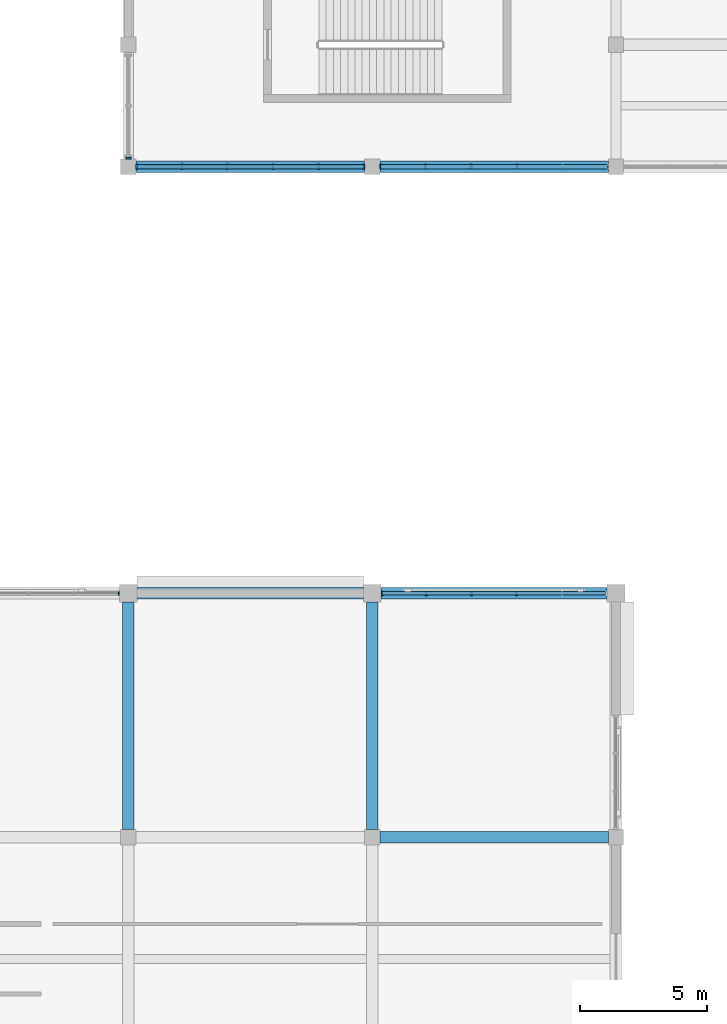
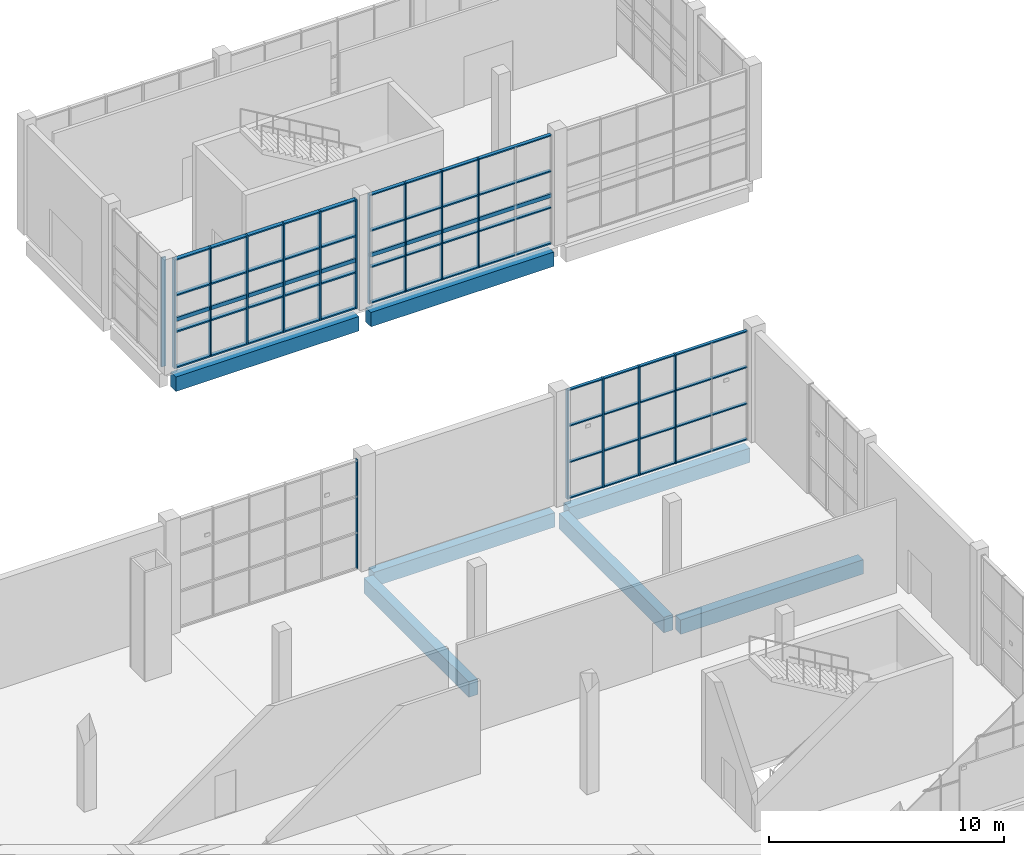
# One storey, part 8 of 84: 30 members, 7 beams, 5 elements without a shape of their own.
"""IFC4 building model written with IfcOpenShell, lengths in metres."""

from ifc_helpers import new_model, si_unit, direction, frame, origin, origin_2d, place, context, subcontext, project, spatial, rectangle, hollow_rectangle, extrude, material, material_profile, profile_set, type_object, element, aggregate, save


model = new_model("IFC4")

# Units and contexts
model_context = context("Model", 3, precision=1e-05, world=origin(), true_north=direction((0.0, 1.0)))
body_context = subcontext(model_context, "Body", "Model", "MODEL_VIEW")
ifc_project = project(units=[si_unit("LENGTHUNIT", "METRE"), si_unit("AREAUNIT", "SQUARE_METRE"), si_unit("VOLUMEUNIT", "CUBIC_METRE"), si_unit("PLANEANGLEUNIT", "RADIAN"), si_unit("MASSUNIT", "GRAM", prefix="KILO")], contexts=[model_context])

# Site, building, storey
site_placement = place(None, origin())
site = spatial("IfcSite", under=ifc_project, at=site_placement, CompositionType="ELEMENT")
building_placement = place(site_placement, origin())
building = spatial("IfcBuilding", under=site, at=building_placement, Name="Shalvenor Court Art Gallery", CompositionType="ELEMENT")
storey_placement = place(building_placement, origin())
storey = spatial("IfcBuildingStorey", under=building, at=storey_placement, Name="L00", CompositionType="ELEMENT", Elevation=0.0)

# Beams
ifc_material_1 = material(Name="Concrete C40/50", Category="concrete")
ifc_material_profile_1 = material_profile(ifc_material_1, rectangle(XDim=0.449951171875, YDim=0.800048828125, at=origin_2d()), Name="RC 450x800")
ifc_profile_set_1 = profile_set([ifc_material_profile_1], Name="Concrete C40/50")
beam_type_1 = type_object("IfcBeamType", Name="B-03", PredefinedType="BEAM", material=ifc_profile_set_1)
for number, where, z_axis, x_axis, name in (
    (1, (48.0, 19.5, -0.739990234375), (0.0, 1.0, 0.0), (-1.0, 0.0, 0.0), "L00 Girder BM-L00-B-03-0043"),
    (2, (57.60009765625, 19.5, -0.739990234375), (0.0, 1.0, 0.0), (-1.0, 0.0, 0.0), "L00 Girder BM-L00-B-03-0047"),
):
    element("IfcBeam", number, at=place(storey_placement, frame(where, z_axis=z_axis, x_axis=x_axis)), inside=storey, type_object=beam_type_1, Name=name, PredefinedType="BEAM", context=body_context, shape_type="SweptSolid", body=[
        extrude(rectangle(XDim=0.449951171875, YDim=0.800048828125, at=origin_2d()), origin(), (0.0, 0.0, 1.0), 8.949951171875),
    ])
ifc_material_2 = material(Name="Concrete C40/50", Category="concrete")
ifc_material_profile_2 = material_profile(ifc_material_2, rectangle(XDim=0.449951171875, YDim=0.75, at=origin_2d()), Name="RC 450x750")
ifc_profile_set_2 = profile_set([ifc_material_profile_2], Name="Concrete C40/50")
beam_type_2 = type_object("IfcBeamType", Name="B-04", PredefinedType="BEAM", material=ifc_profile_set_2)
beam_1_placement = place(storey_placement, frame((57.89990234375, 19.199951171875, -0.715087890625), z_axis=(1.0, 0.0, 0.0), x_axis=(0.0, 1.0, 0.0)))
element("IfcBeam", 3, at=beam_1_placement, inside=storey, type_object=beam_type_2, Name="L00 Girder BM-L00-B-04-0163", PredefinedType="BEAM", context=body_context, shape_type="SweptSolid", body=[
    extrude(rectangle(XDim=0.449951171875, YDim=0.75, at=origin_2d()), origin(), (0.0, 0.0, 1.0), 9.0),
])
beam_2_placement = place(storey_placement, frame((48.35009765625, 28.800048828125, -0.715087890625), z_axis=(1.0, 0.0, 0.0), x_axis=(0.0, 1.0, 0.0)))
element("IfcBeam", 4, at=beam_2_placement, inside=storey, type_object=beam_type_2, Name="L00 Girder BM-L00-B-04-0175", PredefinedType="BEAM", context=body_context, shape_type="SweptSolid", body=[
    extrude(rectangle(XDim=0.449951171875, YDim=0.75, at=origin_2d()), origin(), (0.0, 0.0, 1.0), 8.89990234375),
])
beam_3_placement = place(storey_placement, frame((57.949951171875, 28.800048828125, -0.715087890625), z_axis=(1.0, 0.0, 0.0), x_axis=(0.0, 1.0, 0.0)))
element("IfcBeam", 5, at=beam_3_placement, inside=storey, type_object=beam_type_2, Name="L00 Girder BM-L00-B-04-0176", PredefinedType="BEAM", context=body_context, shape_type="SweptSolid", body=[
    extrude(rectangle(XDim=0.449951171875, YDim=0.75, at=origin_2d()), origin(), (0.0, 0.0, 1.0), 8.900146484375),
])
for number, where, z_axis, x_axis, name in (
    (6, (48.300048828125, 45.60009765625, -0.715087890625), (1.0, 0.0, 0.0), (0.0, 1.0, 0.0), "L00 Girder BM-L00-B-04-0189"),
    (7, (57.89990234375, 45.60009765625, -0.715087890625), (1.0, 0.0, 0.0), (0.0, 1.0, 0.0), "L00 Girder BM-L00-B-04-0190"),
):
    element("IfcBeam", number, at=place(storey_placement, frame(where, z_axis=z_axis, x_axis=x_axis)), inside=storey, type_object=beam_type_2, Name=name, PredefinedType="BEAM", context=body_context, shape_type="SweptSolid", body=[
        extrude(rectangle(XDim=0.449951171875, YDim=0.75, at=origin_2d()), origin(), (0.0, 0.0, 1.0), 9.0),
    ])

# Curtain wall, members
ifc_material_3 = material(Name="Anodised aluminium and low-iron glass curtain wall", Category="aluminium")
curtain_wall_type_1 = type_object("IfcCurtainWallType", Name="CW-5x3-89-57-111", PredefinedType="USERDEFINED", material=ifc_material_3)
curtain_wall_1_placement = place(storey_placement, origin())
curtain_wall_1 = element("IfcCurtainWall", 8, at=curtain_wall_1_placement, inside=storey, type_object=curtain_wall_type_1, Name="L00 V4 Curtain Wall CW-L00-120", ObjectType="CURTAIN WALL", PredefinedType="USERDEFINED")
ifc_material_4 = material(Name="Anodised aluminium mullion", Category="aluminium")
ifc_material_profile_3 = material_profile(ifc_material_4, rectangle(XDim=0.06494140625, YDim=0.179931640625, at=origin_2d()), Name="CWM-01")
ifc_profile_set_3 = profile_set([ifc_material_profile_3], Name="Anodised aluminium mullion")
member_type_1 = type_object("IfcMemberType", Name="CWM-01", PredefinedType="MULLION", material=ifc_profile_set_3)
member_1_placement = place(storey_placement, frame((57.982421875, 28.800048828125, 0.0), z_axis=(0.0, 0.0, 1.0), x_axis=(1.0, 0.0, 0.0)))
member_1 = element("IfcMember", 9, at=member_1_placement, type_object=member_type_1, Name="CW-5x3-89-57-111 mullion 1", PredefinedType="MULLION", context=body_context, shape_type="SweptSolid", body=[
    extrude(rectangle(XDim=0.06494140625, YDim=0.179931640625, at=origin_2d()), origin(), (0.0, 0.0, 1.0), 5.679931640625),
])
member_2_placement = place(storey_placement, frame((59.72998046875, 28.800048828125, 0.0), z_axis=(0.0, 0.0, 1.0), x_axis=(1.0, 0.0, 0.0)))
member_2 = element("IfcMember", 10, at=member_2_placement, type_object=member_type_1, Name="CW-5x3-89-57-111 mullion 2", PredefinedType="MULLION", context=body_context, shape_type="SweptSolid", body=[
    extrude(rectangle(XDim=0.06494140625, YDim=0.179931640625, at=origin_2d()), origin(), (0.0, 0.0, 1.0), 5.679931640625),
])
member_3_placement = place(storey_placement, frame((61.510009765625, 28.800048828125, 0.0), z_axis=(0.0, 0.0, 1.0), x_axis=(1.0, 0.0, 0.0)))
member_3 = element("IfcMember", 11, at=member_3_placement, type_object=member_type_1, Name="CW-5x3-89-57-111 mullion 3", PredefinedType="MULLION", context=body_context, shape_type="SweptSolid", body=[
    extrude(rectangle(XDim=0.06494140625, YDim=0.179931640625, at=origin_2d()), origin(), (0.0, 0.0, 1.0), 5.679931640625),
])
member_4_placement = place(storey_placement, frame((63.2900390625, 28.800048828125, 0.0), z_axis=(0.0, 0.0, 1.0), x_axis=(1.0, 0.0, 0.0)))
member_4 = element("IfcMember", 12, at=member_4_placement, type_object=member_type_1, Name="CW-5x3-89-57-111 mullion 4", PredefinedType="MULLION", context=body_context, shape_type="SweptSolid", body=[
    extrude(rectangle(XDim=0.06494140625, YDim=0.179931640625, at=origin_2d()), origin(), (0.0, 0.0, 1.0), 5.679931640625),
])

ifc_material_5 = material(Name="Anodised aluminium and low-iron glass curtain wall", Category="aluminium")
curtain_wall_type_2 = type_object("IfcCurtainWallType", Name="CW-5x3-90-57-126", PredefinedType="USERDEFINED", material=ifc_material_5)
curtain_wall_2_placement = place(storey_placement, origin())
curtain_wall_2 = element("IfcCurtainWall", 13, at=curtain_wall_2_placement, inside=storey, type_object=curtain_wall_type_2, Name="L00 V6 Curtain Wall CW-L00-196", ObjectType="CURTAIN WALL", PredefinedType="USERDEFINED")
member_5_placement = place(storey_placement, frame((63.300048828125, 45.60009765625, 0.0), z_axis=(0.0, 0.0, 1.0), x_axis=(-1.0, 0.0, 0.0)))
member_5 = element("IfcMember", 14, at=member_5_placement, type_object=member_type_1, Name="CW-5x3-90-57-126 mullion 3", PredefinedType="MULLION", context=body_context, shape_type="SweptSolid", body=[
    extrude(rectangle(XDim=0.06494140625, YDim=0.179931640625, at=origin_2d()), origin(), (0.0, 0.0, 1.0), 5.679931640625),
])
member_6_placement = place(storey_placement, frame((61.5, 45.60009765625, 0.0), z_axis=(0.0, 0.0, 1.0), x_axis=(-1.0, 0.0, 0.0)))
member_6 = element("IfcMember", 15, at=member_6_placement, type_object=member_type_1, Name="CW-5x3-90-57-126 mullion 4", PredefinedType="MULLION", context=body_context, shape_type="SweptSolid", body=[
    extrude(rectangle(XDim=0.06494140625, YDim=0.179931640625, at=origin_2d()), origin(), (0.0, 0.0, 1.0), 5.679931640625),
])
member_7_placement = place(storey_placement, frame((59.699951171875, 45.60009765625, 0.0), z_axis=(0.0, 0.0, 1.0), x_axis=(-1.0, 0.0, 0.0)))
member_7 = element("IfcMember", 16, at=member_7_placement, type_object=member_type_1, Name="CW-5x3-90-57-126 mullion 5", PredefinedType="MULLION", context=body_context, shape_type="SweptSolid", body=[
    extrude(rectangle(XDim=0.06494140625, YDim=0.179931640625, at=origin_2d()), origin(), (0.0, 0.0, 1.0), 5.679931640625),
])
member_8_placement = place(storey_placement, frame((57.9326171875, 45.60009765625, 0.0), z_axis=(0.0, 0.0, 1.0), x_axis=(-1.0, 0.0, 0.0)))
member_8 = element("IfcMember", 17, at=member_8_placement, type_object=member_type_1, Name="CW-5x3-90-57-126 mullion 6", PredefinedType="MULLION", context=body_context, shape_type="SweptSolid", body=[
    extrude(rectangle(XDim=0.06494140625, YDim=0.179931640625, at=origin_2d()), origin(), (0.0, 0.0, 1.0), 5.679931640625),
])

ifc_material_6 = material(Name="Anodised aluminium and low-iron glass curtain wall", Category="aluminium")
curtain_wall_type_3 = type_object("IfcCurtainWallType", Name="CW-5x3-90-57-246", PredefinedType="USERDEFINED", material=ifc_material_6)
curtain_wall_3_placement = place(storey_placement, origin())
curtain_wall_3 = element("IfcCurtainWall", 18, at=curtain_wall_3_placement, inside=storey, type_object=curtain_wall_type_3, Name="L00 V6 Curtain Wall CW-L00-197", ObjectType="CURTAIN WALL", PredefinedType="USERDEFINED")
ifc_material_7 = material(Name="Anodised aluminium mullion", Category="aluminium")
ifc_material_profile_4 = material_profile(ifc_material_7, rectangle(XDim=0.070068359375, YDim=0.199951171875, at=origin_2d()), Name="CWM-02")
ifc_profile_set_4 = profile_set([ifc_material_profile_4], Name="Anodised aluminium mullion")
member_type_2 = type_object("IfcMemberType", Name="CWM-02", PredefinedType="MULLION", material=ifc_profile_set_4)
member_9_placement = place(storey_placement, frame((57.264892578125, 45.60009765625, 0.0), z_axis=(0.0, 0.0, 1.0), x_axis=(-1.0, 0.0, 0.0)))
member_9 = element("IfcMember", 19, at=member_9_placement, type_object=member_type_2, Name="CW-5x3-90-57-246 mullion 1", PredefinedType="MULLION", context=body_context, shape_type="SweptSolid", body=[
    extrude(rectangle(XDim=0.070068359375, YDim=0.199951171875, at=origin_2d()), origin(), (0.0, 0.0, 1.0), 5.679931640625),
])
member_10_placement = place(storey_placement, frame((55.5, 45.60009765625, 0.0), z_axis=(0.0, 0.0, 1.0), x_axis=(-1.0, 0.0, 0.0)))
member_10 = element("IfcMember", 20, at=member_10_placement, type_object=member_type_2, Name="CW-5x3-90-57-246 mullion 2", PredefinedType="MULLION", context=body_context, shape_type="SweptSolid", body=[
    extrude(rectangle(XDim=0.070068359375, YDim=0.199951171875, at=origin_2d()), origin(), (0.0, 0.0, 1.0), 5.679931640625),
])
member_11_placement = place(storey_placement, frame((53.699951171875, 45.60009765625, 0.0), z_axis=(0.0, 0.0, 1.0), x_axis=(-1.0, 0.0, 0.0)))
member_11 = element("IfcMember", 21, at=member_11_placement, type_object=member_type_2, Name="CW-5x3-90-57-246 mullion 3", PredefinedType="MULLION", context=body_context, shape_type="SweptSolid", body=[
    extrude(rectangle(XDim=0.070068359375, YDim=0.199951171875, at=origin_2d()), origin(), (0.0, 0.0, 1.0), 5.679931640625),
])
member_12_placement = place(storey_placement, frame((51.89990234375, 45.60009765625, 0.0), z_axis=(0.0, 0.0, 1.0), x_axis=(-1.0, 0.0, 0.0)))
member_12 = element("IfcMember", 22, at=member_12_placement, type_object=member_type_2, Name="CW-5x3-90-57-246 mullion 4", PredefinedType="MULLION", context=body_context, shape_type="SweptSolid", body=[
    extrude(rectangle(XDim=0.070068359375, YDim=0.199951171875, at=origin_2d()), origin(), (0.0, 0.0, 1.0), 5.679931640625),
])
member_13_placement = place(storey_placement, frame((50.10009765625, 45.60009765625, 0.0), z_axis=(0.0, 0.0, 1.0), x_axis=(-1.0, 0.0, 0.0)))
member_13 = element("IfcMember", 23, at=member_13_placement, type_object=member_type_2, Name="CW-5x3-90-57-246 mullion 5", PredefinedType="MULLION", context=body_context, shape_type="SweptSolid", body=[
    extrude(rectangle(XDim=0.070068359375, YDim=0.199951171875, at=origin_2d()), origin(), (0.0, 0.0, 1.0), 5.679931640625),
])
member_14_placement = place(storey_placement, frame((48.3349609375, 45.60009765625, 0.0), z_axis=(0.0, 0.0, 1.0), x_axis=(-1.0, 0.0, 0.0)))
member_14 = element("IfcMember", 24, at=member_14_placement, type_object=member_type_2, Name="CW-5x3-90-57-246 mullion 6", PredefinedType="MULLION", context=body_context, shape_type="SweptSolid", body=[
    extrude(rectangle(XDim=0.070068359375, YDim=0.199951171875, at=origin_2d()), origin(), (0.0, 0.0, 1.0), 5.679931640625),
])

# Curtain wall, member
ifc_material_8 = material(Name="Anodised aluminium and low-iron glass curtain wall", Category="aluminium")
curtain_wall_type_4 = type_object("IfcCurtainWallType", Name="CW-2x3-42-57-416", PredefinedType="USERDEFINED", material=ifc_material_8)
curtain_wall_4_placement = place(storey_placement, origin())
curtain_wall_4 = element("IfcCurtainWall", 25, at=curtain_wall_4_placement, inside=storey, type_object=curtain_wall_type_4, Name="L00 V6 Curtain Wall CW-L00-198", ObjectType="CURTAIN WALL", PredefinedType="USERDEFINED")
ifc_material_9 = material(Name="Anodised aluminium mullion", Category="aluminium")
ifc_material_profile_5 = material_profile(ifc_material_9, rectangle(XDim=0.074951171875, YDim=0.219970703125, at=origin_2d()), Name="CWM-04")
ifc_profile_set_5 = profile_set([ifc_material_profile_5], Name="Anodised aluminium mullion")
member_type_3 = type_object("IfcMemberType", Name="CWM-04", PredefinedType="MULLION", material=ifc_profile_set_5)
member_15_placement = place(storey_placement, frame((48.0, 45.9375, 0.0), z_axis=(0.0, 0.0, 1.0), x_axis=(0.0, 1.0, 0.0)))
member_15 = element("IfcMember", 26, at=member_15_placement, type_object=member_type_3, Name="CW-2x3-42-57-416 mullion 1", PredefinedType="MULLION", context=body_context, shape_type="SweptSolid", body=[
    extrude(rectangle(XDim=0.074951171875, YDim=0.219970703125, at=origin_2d()), origin(), (0.0, 0.0, 1.0), 5.679931640625),
])
aggregate(curtain_wall_4, [member_15])

ifc_material_10 = material(Name="Anodised aluminium and low-iron glass curtain wall", Category="aluminium")
curtain_wall_type_5 = type_object("IfcCurtainWallType", Name="CW-5x3-89-57-641", PredefinedType="USERDEFINED", material=ifc_material_10)
curtain_wall_5_placement = place(storey_placement, origin())
curtain_wall_5 = element("IfcCurtainWall", 27, at=curtain_wall_5_placement, inside=storey, type_object=curtain_wall_type_5, Name="L00 V4 Curtain Wall CW-L00-119", ObjectType="CURTAIN WALL", PredefinedType="USERDEFINED")
ifc_material_11 = material(Name="Anodised aluminium mullion", Category="aluminium")
ifc_material_profile_6 = material_profile(ifc_material_11, rectangle(XDim=0.054931640625, YDim=0.139892578125, at=origin_2d()), Name="CWM-06")
ifc_profile_set_6 = profile_set([ifc_material_profile_6], Name="Anodised aluminium mullion")
member_type_4 = type_object("IfcMemberType", Name="CWM-06", PredefinedType="MULLION", material=ifc_profile_set_6)
member_16_placement = place(storey_placement, frame((47.62255859375, 28.800048828125, 0.0), z_axis=(0.0, 0.0, 1.0), x_axis=(1.0, 0.0, 0.0)))
member_16 = element("IfcMember", 28, at=member_16_placement, type_object=member_type_4, Name="CW-5x3-89-57-641 mullion 6", PredefinedType="MULLION", context=body_context, shape_type="SweptSolid", body=[
    extrude(rectangle(XDim=0.054931640625, YDim=0.139892578125, at=origin_2d()), origin(), (0.0, 0.0, 1.0), 5.679931640625),
])
aggregate(curtain_wall_5, [member_16])

# Member
ifc_material_12 = material(Name="Anodised aluminium transom", Category="aluminium")
ifc_material_profile_7 = material_profile(ifc_material_12, rectangle(XDim=0.14990234375, YDim=0.06005859375, at=origin_2d()), Name="CWT-01")
ifc_profile_set_7 = profile_set([ifc_material_profile_7], Name="Anodised aluminium transom")
member_type_5 = type_object("IfcMemberType", Name="CWT-01", PredefinedType="USERDEFINED", material=ifc_profile_set_7)
member_17_placement = place(storey_placement, frame((57.982421875, 28.800048828125, 0.030029296875), z_axis=(1.0, 0.0, 0.0), x_axis=(0.0, 1.0, 0.0)))
member_17 = element("IfcMember", 29, at=member_17_placement, type_object=member_type_5, Name="CW-5x3-89-57-111 transom 1", ObjectType="TRANSOM", PredefinedType="USERDEFINED", context=body_context, shape_type="SweptSolid", body=[
    extrude(rectangle(XDim=0.14990234375, YDim=0.06005859375, at=origin_2d()), origin(), (0.0, 0.0, 1.0), 8.8349609375),
])

member_18_placement = place(storey_placement, frame((57.982421875, 28.800048828125, 1.893310546875), z_axis=(1.0, 0.0, 0.0), x_axis=(0.0, 1.0, 0.0)))
member_18 = element("IfcMember", 30, at=member_18_placement, type_object=member_type_5, Name="CW-5x3-89-57-111 transom 2", ObjectType="TRANSOM", PredefinedType="USERDEFINED", context=body_context, shape_type="SweptSolid", body=[
    extrude(rectangle(XDim=0.14990234375, YDim=0.06005859375, at=origin_2d()), origin(), (0.0, 0.0, 1.0), 8.8349609375),
])

member_19_placement = place(storey_placement, frame((57.982421875, 28.800048828125, 3.78662109375), z_axis=(1.0, 0.0, 0.0), x_axis=(0.0, 1.0, 0.0)))
member_19 = element("IfcMember", 31, at=member_19_placement, type_object=member_type_5, Name="CW-5x3-89-57-111 transom 3", ObjectType="TRANSOM", PredefinedType="USERDEFINED", context=body_context, shape_type="SweptSolid", body=[
    extrude(rectangle(XDim=0.14990234375, YDim=0.06005859375, at=origin_2d()), origin(), (0.0, 0.0, 1.0), 8.8349609375),
])

member_20_placement = place(storey_placement, frame((57.982421875, 28.800048828125, 5.64990234375), z_axis=(1.0, 0.0, 0.0), x_axis=(0.0, 1.0, 0.0)))
member_20 = element("IfcMember", 32, at=member_20_placement, type_object=member_type_5, Name="CW-5x3-89-57-111 transom 4", ObjectType="TRANSOM", PredefinedType="USERDEFINED", context=body_context, shape_type="SweptSolid", body=[
    extrude(rectangle(XDim=0.14990234375, YDim=0.06005859375, at=origin_2d()), origin(), (0.0, 0.0, 1.0), 8.8349609375),
])

aggregate(curtain_wall_1, [member_1, member_2, member_3, member_4, member_17, member_18, member_19, member_20])

ifc_material_13 = material(Name="Anodised aluminium transom", Category="aluminium")
ifc_material_profile_8 = material_profile(ifc_material_13, rectangle(XDim=0.169921875, YDim=0.06494140625, at=origin_2d()), Name="CWT-02")
ifc_profile_set_8 = profile_set([ifc_material_profile_8], Name="Anodised aluminium transom")
member_type_6 = type_object("IfcMemberType", Name="CWT-02", PredefinedType="USERDEFINED", material=ifc_profile_set_8)
member_21_placement = place(storey_placement, frame((66.867431640625, 45.60009765625, 0.032470703125), z_axis=(-1.0, 0.0, 0.0), x_axis=(0.0, -1.0, 0.0)))
member_21 = element("IfcMember", 33, at=member_21_placement, type_object=member_type_6, Name="CW-5x3-90-57-126 transom 1", ObjectType="TRANSOM", PredefinedType="USERDEFINED", context=body_context, shape_type="SweptSolid", body=[
    extrude(rectangle(XDim=0.169921875, YDim=0.06494140625, at=origin_2d()), origin(), (0.0, 0.0, 1.0), 8.934814453125),
])

member_22_placement = place(storey_placement, frame((66.867431640625, 45.60009765625, 1.893310546875), z_axis=(-1.0, 0.0, 0.0), x_axis=(0.0, -1.0, 0.0)))
member_22 = element("IfcMember", 34, at=member_22_placement, type_object=member_type_6, Name="CW-5x3-90-57-126 transom 2", ObjectType="TRANSOM", PredefinedType="USERDEFINED", context=body_context, shape_type="SweptSolid", body=[
    extrude(rectangle(XDim=0.169921875, YDim=0.06494140625, at=origin_2d()), origin(), (0.0, 0.0, 1.0), 8.934814453125),
])

member_23_placement = place(storey_placement, frame((66.867431640625, 45.60009765625, 3.78662109375), z_axis=(-1.0, 0.0, 0.0), x_axis=(0.0, -1.0, 0.0)))
member_23 = element("IfcMember", 35, at=member_23_placement, type_object=member_type_6, Name="CW-5x3-90-57-126 transom 3", ObjectType="TRANSOM", PredefinedType="USERDEFINED", context=body_context, shape_type="SweptSolid", body=[
    extrude(rectangle(XDim=0.169921875, YDim=0.06494140625, at=origin_2d()), origin(), (0.0, 0.0, 1.0), 8.934814453125),
])

member_24_placement = place(storey_placement, frame((66.867431640625, 45.60009765625, 5.6474609375), z_axis=(-1.0, 0.0, 0.0), x_axis=(0.0, -1.0, 0.0)))
member_24 = element("IfcMember", 36, at=member_24_placement, type_object=member_type_6, Name="CW-5x3-90-57-126 transom 4", ObjectType="TRANSOM", PredefinedType="USERDEFINED", context=body_context, shape_type="SweptSolid", body=[
    extrude(rectangle(XDim=0.169921875, YDim=0.06494140625, at=origin_2d()), origin(), (0.0, 0.0, 1.0), 8.934814453125),
])

aggregate(curtain_wall_2, [member_5, member_6, member_7, member_8, member_21, member_22, member_23, member_24])

ifc_material_14 = material(Name="Anodised aluminium transom", Category="aluminium")
ifc_material_profile_9 = material_profile(ifc_material_14, rectangle(XDim=0.18994140625, YDim=0.070068359375, at=origin_2d()), Name="CWT-04")
ifc_profile_set_9 = profile_set([ifc_material_profile_9], Name="Anodised aluminium transom")
member_type_7 = type_object("IfcMemberType", Name="CWT-04", PredefinedType="USERDEFINED", material=ifc_profile_set_9)
member_25_placement = place(storey_placement, frame((57.264892578125, 45.60009765625, 0.034912109375), z_axis=(-1.0, 0.0, 0.0), x_axis=(0.0, -1.0, 0.0)))
member_25 = element("IfcMember", 37, at=member_25_placement, type_object=member_type_7, Name="CW-5x3-90-57-246 transom 1", ObjectType="TRANSOM", PredefinedType="USERDEFINED", context=body_context, shape_type="SweptSolid", body=[
    extrude(rectangle(XDim=0.18994140625, YDim=0.070068359375, at=origin_2d()), origin(), (0.0, 0.0, 1.0), 8.929931640625),
])

member_26_placement = place(storey_placement, frame((57.264892578125, 45.60009765625, 1.893310546875), z_axis=(-1.0, 0.0, 0.0), x_axis=(0.0, -1.0, 0.0)))
member_26 = element("IfcMember", 38, at=member_26_placement, type_object=member_type_7, Name="CW-5x3-90-57-246 transom 2", ObjectType="TRANSOM", PredefinedType="USERDEFINED", context=body_context, shape_type="SweptSolid", body=[
    extrude(rectangle(XDim=0.18994140625, YDim=0.070068359375, at=origin_2d()), origin(), (0.0, 0.0, 1.0), 8.929931640625),
])

member_27_placement = place(storey_placement, frame((57.264892578125, 45.60009765625, 3.78662109375), z_axis=(-1.0, 0.0, 0.0), x_axis=(0.0, -1.0, 0.0)))
member_27 = element("IfcMember", 39, at=member_27_placement, type_object=member_type_7, Name="CW-5x3-90-57-246 transom 3", ObjectType="TRANSOM", PredefinedType="USERDEFINED", context=body_context, shape_type="SweptSolid", body=[
    extrude(rectangle(XDim=0.18994140625, YDim=0.070068359375, at=origin_2d()), origin(), (0.0, 0.0, 1.0), 8.929931640625),
])

member_28_placement = place(storey_placement, frame((57.264892578125, 45.60009765625, 5.64501953125), z_axis=(-1.0, 0.0, 0.0), x_axis=(0.0, -1.0, 0.0)))
member_28 = element("IfcMember", 40, at=member_28_placement, type_object=member_type_7, Name="CW-5x3-90-57-246 transom 4", ObjectType="TRANSOM", PredefinedType="USERDEFINED", context=body_context, shape_type="SweptSolid", body=[
    extrude(rectangle(XDim=0.18994140625, YDim=0.070068359375, at=origin_2d()), origin(), (0.0, 0.0, 1.0), 8.929931640625),
])

aggregate(curtain_wall_3, [member_9, member_10, member_11, member_12, member_13, member_14, member_25, member_26, member_27, member_28])

# Members
ifc_material_15 = material(Name="Steel S355", Category="steel")
ifc_material_profile_10 = material_profile(ifc_material_15, hollow_rectangle(XDim=0.10009765625, YDim=0.199951171875, WallThickness=0.008056640625, at=origin_2d()), Name="RHS 200x100x8.0")
ifc_profile_set_10 = profile_set([ifc_material_profile_10], Name="Steel S355")
member_type_8 = type_object("IfcMemberType", Name="FR-01", PredefinedType="MEMBER", material=ifc_profile_set_10)
for number, where, z_axis, x_axis, name in (
    (41, (66.89990234375, 45.60009765625, 2.5), (-1.0, 0.0, 0.0), (0.0, -1.0, 0.0), "L00 Cloister Canopy Rail 196"),
    (42, (57.300048828125, 45.60009765625, 2.5), (-1.0, 0.0, 0.0), (0.0, -1.0, 0.0), "L00 Cloister Canopy Rail 197"),
):
    element("IfcMember", number, at=place(storey_placement, frame(where, z_axis=z_axis, x_axis=x_axis)), inside=storey, type_object=member_type_8, Name=name, PredefinedType="MEMBER", context=body_context, shape_type="SweptSolid", body=[
        extrude(hollow_rectangle(XDim=0.10009765625, YDim=0.199951171875, WallThickness=0.008056640625, at=origin_2d()), origin(), (0.0, 0.0, 1.0), 9.0),
    ])

save(model, "model.ifc")
